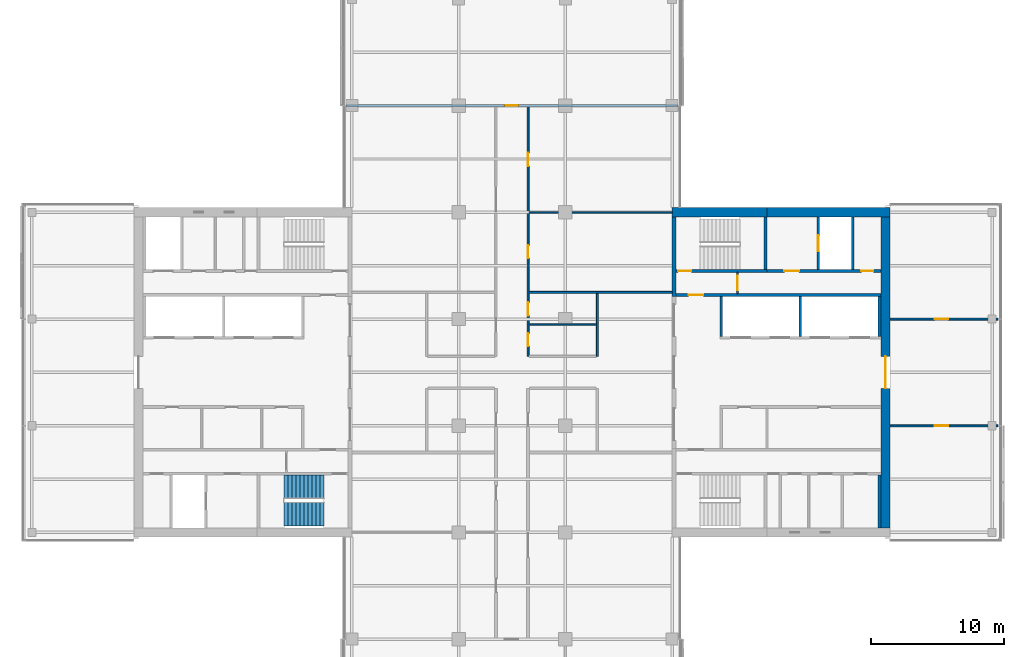
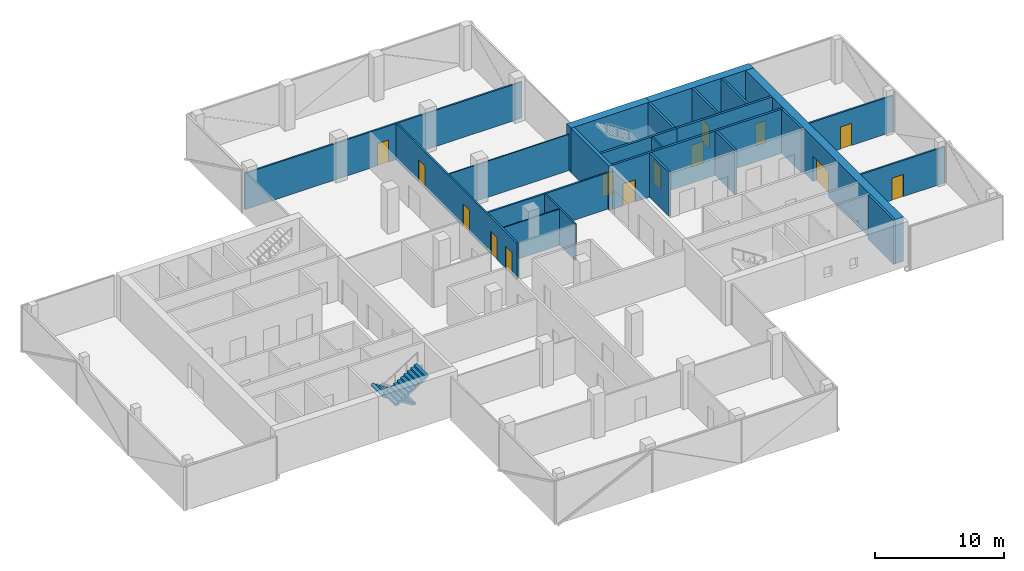
# One storey, part 16 of 22: 23 walls, 14 doors, 2 stair flights, 14 openings, 1 element without a shape of its own.
"""IFC4 building model written with IfcOpenShell, lengths in metres."""

from ifc_helpers import new_model, si_unit, direction, frame, frame_2d, origin, place, context, subcontext, project, spatial, polyline, rectangle, outline, extrude, material, layer, layer_set, constituent, constituent_set, type_object, element, fill, aggregate, save


model = new_model("IFC4")

# Units and contexts
model_context = context("Model", 3, precision=1e-05, world=origin(), true_north=direction((0.0, 1.0)))
body_context = subcontext(model_context, "Body", "Model", "MODEL_VIEW")
ifc_project = project(units=[si_unit("LENGTHUNIT", "METRE"), si_unit("AREAUNIT", "SQUARE_METRE"), si_unit("VOLUMEUNIT", "CUBIC_METRE"), si_unit("PLANEANGLEUNIT", "RADIAN"), si_unit("MASSUNIT", "GRAM", prefix="KILO")], contexts=[model_context])

# Site, building, storey
site_placement = place(None, origin())
site = spatial("IfcSite", under=ifc_project, at=site_placement, CompositionType="ELEMENT")
building_placement = place(site_placement, origin())
building = spatial("IfcBuilding", under=site, at=building_placement, Name="Crosswind Convention Tower", CompositionType="ELEMENT")
storey_placement = place(building_placement, frame((0.0, 0.0, 150.5)))
storey = spatial("IfcBuildingStorey", under=building, at=storey_placement, Name="L31", CompositionType="ELEMENT", Elevation=150.5)

# Wall, opening, door
ifc_material_1 = material(Name="Concrete C60/75", Category="concrete")
ifc_layer_1 = layer(ifc_material_1, 0.699951171875)
ifc_layer_set_1 = layer_set([ifc_layer_1], Name="Concrete C60/75")
wall_type_1 = type_object("IfcWallType", Name="Concrete core wall 700", PredefinedType="SHEAR", material=ifc_layer_set_1)
wall_1_placement = place(storey_placement, frame((153.0, 88.35009765625, 0.0), z_axis=(0.0, 0.0, 1.0), x_axis=(0.0, 1.0, 0.0)))
wall_1 = element("IfcWall", 1, at=wall_1_placement, inside=storey, type_object=wall_type_1, Name="Wall O E L31", PredefinedType="SHEAR", context=body_context, shape_type="SweptSolid", body=[
    extrude(rectangle(XDim=23.2998046875, YDim=0.699951171875, at=frame_2d((11.64990234375, 0.0))), origin(), (0.0, 0.0, 1.0), 4.199951171875),
])
opening_1_placement = place(wall_1_placement, frame((10.449951171875, 0.0, 0.0)))
opening_1 = element("IfcOpeningElement", 2, at=opening_1_placement, cuts=wall_1, Name="Opening D100", PredefinedType="OPENING", context=body_context, shape_type="SweptSolid", body=[
    extrude(rectangle(XDim=2.39990234375, YDim=2.39990234375, at=frame_2d((1.199951171875, 1.199951171875))), frame((0.0, 0.35986328125, 0.0), z_axis=(0.0, -1.0, 0.0), x_axis=(1.0, 0.0, 0.0)), (0.0, 0.0, 1.0), 0.719970703125),
])
ifc_material_2 = material(Name="Steel fire door with glazed vision panels", Category="steel")
door_type_1 = type_object("IfcDoorType", Name="Fire-rated double door 2400x2400", OperationType="DOUBLE_DOOR_SINGLE_SWING", PredefinedType="DOOR", material=ifc_material_2)
door_1_placement = place(opening_1_placement, origin())
door_1 = element("IfcDoor", 3, at=door_1_placement, inside=storey, type_object=door_type_1, Name="Lobby outer door L31", ObjectType="D100", OperationType="DOUBLE_DOOR_SINGLE_SWING", OverallHeight=2.39990234375, OverallWidth=2.39990234375, PredefinedType="DOOR", context=body_context, shape_type="SweptSolid", body=[
    extrude(rectangle(XDim=2.39990234375, YDim=2.39990234375, at=frame_2d((1.199951171875, 1.199951171875))), frame((0.0, 0.02490234375, 0.0), z_axis=(0.0, -1.0, 0.0), x_axis=(1.0, 0.0, 0.0)), (0.0, 0.0, 1.0), 0.050048828125),
])
fill(opening_1, door_1)

# Walls
ifc_material_3 = material(Name="Concrete C50/60", Category="concrete")
ifc_layer_2 = layer(ifc_material_3, 0.300048828125)
ifc_layer_set_2 = layer_set([ifc_layer_2], Name="Concrete C50/60")
wall_type_2 = type_object("IfcWallType", Name="Concrete inner core wall 300", PredefinedType="SHEAR", material=ifc_layer_set_2)
wall_2_placement = place(storey_placement, frame((137.14990234375, 105.699951171875, 0.0), z_axis=(0.0, 0.0, 1.0), x_axis=(0.0, 1.0, 0.0)))
element("IfcWall", 4, at=wall_2_placement, inside=storey, type_object=wall_type_2, Name="Wall EP E L31", PredefinedType="SHEAR", context=body_context, shape_type="SweptSolid", body=[
    extrude(rectangle(XDim=5.949951171875, YDim=0.300048828125, at=frame_2d((2.97509765625, 0.0))), origin(), (0.0, 0.0, 1.0), 4.199951171875),
])
ifc_layer_3 = layer(ifc_material_3, 0.199951171875)
ifc_layer_set_3 = layer_set([ifc_layer_3], Name="Concrete C50/60")
wall_type_3 = type_object("IfcWallType", Name="Concrete shaft and stair wall 200", PredefinedType="SHEAR", material=ifc_layer_set_3)
for number, where, z_axis, x_axis, name in (
    (5, (140.699951171875, 102.699951171875, 0.0), (0.0, 0.0, 1.0), (0.0, 1.0, 0.0), "Wall RPEND E L31"),
    (6, (146.60009765625, 102.699951171875, 0.0), (0.0, 0.0, 1.0), (0.0, 1.0, 0.0), "Wall RPSEP E L31"),
    (7, (152.550048828125, 102.699951171875, 0.0), (0.0, 0.0, 1.0), (0.0, 1.0, 0.0), "Wall RPEAST E L31"),
):
    element("IfcWall", number, at=place(storey_placement, frame(where, z_axis=z_axis, x_axis=x_axis)), inside=storey, type_object=wall_type_3, Name=name, PredefinedType="SHEAR", context=body_context, shape_type="SweptSolid", body=[
        extrude(rectangle(XDim=3.0, YDim=0.199951171875, at=frame_2d((1.5, 0.0))), origin(), (0.0, 0.0, 1.0), 4.199951171875),
    ])

# Wall, opening, door
wall_3_placement = place(storey_placement, frame((137.300048828125, 105.800048828125, 0.0), z_axis=(0.0, 0.0, 1.0), x_axis=(1.0, 0.0, 0.0)))
wall_3 = element("IfcWall", 8, at=wall_3_placement, inside=storey, type_object=wall_type_3, Name="Wall HP E L31", PredefinedType="SHEAR", context=body_context, shape_type="SweptSolid", body=[
    extrude(rectangle(XDim=15.349853515625, YDim=0.199951171875, at=frame_2d((7.6748046875, 0.0))), origin(), (0.0, 0.0, 1.0), 4.199951171875),
])
opening_2_placement = place(wall_3_placement, frame((0.949951171875, 0.0, 0.0)))
opening_2 = element("IfcOpeningElement", 9, at=opening_2_placement, cuts=wall_3, Name="Opening D104", PredefinedType="OPENING", context=body_context, shape_type="SweptSolid", body=[
    extrude(rectangle(XDim=1.10009765625, YDim=2.10009765625, at=frame_2d((0.550048828125, 1.050048828125))), frame((0.0, 0.10986328125, 0.0), z_axis=(0.0, -1.0, 0.0), x_axis=(1.0, 0.0, 0.0)), (0.0, 0.0, 1.0), 0.219970703125),
])
ifc_material_4 = material(Name="Steel fire door", Category="steel")
door_type_2 = type_object("IfcDoorType", Name="Fire-rated single door 1100x2100", OperationType="NOTDEFINED", PredefinedType="DOOR", material=ifc_material_4)
door_2_placement = place(opening_2_placement, origin())
door_2 = element("IfcDoor", 10, at=door_2_placement, inside=storey, type_object=door_type_2, Name="Corridor door L31", ObjectType="D104", OperationType="SINGLE_SWING_LEFT", OverallHeight=2.10009765625, OverallWidth=1.10009765625, PredefinedType="DOOR", context=body_context, shape_type="SweptSolid", body=[
    extrude(rectangle(XDim=1.10009765625, YDim=2.10009765625, at=frame_2d((0.550048828125, 1.050048828125))), frame((0.0, 0.02490234375, 0.0), z_axis=(0.0, -1.0, 0.0), x_axis=(1.0, 0.0, 0.0)), (0.0, 0.0, 1.0), 0.050048828125),
])
fill(opening_2, door_2)

# Wall
wall_4_placement = place(storey_placement, frame((144.0, 107.699951171875, 0.0), z_axis=(0.0, 0.0, 1.0), x_axis=(0.0, 1.0, 0.0)))
element("IfcWall", 11, at=wall_4_placement, inside=storey, type_object=wall_type_3, Name="Wall PSE E L31", PredefinedType="SHEAR", context=body_context, shape_type="SweptSolid", body=[
    extrude(rectangle(XDim=3.949951171875, YDim=0.199951171875, at=frame_2d((1.97509765625, 0.0))), origin(), (0.0, 0.0, 1.0), 4.199951171875),
])

# Wall, opening, door
wall_5_placement = place(storey_placement, frame((147.949951171875, 107.699951171875, 0.0), z_axis=(0.0, 0.0, 1.0), x_axis=(0.0, 1.0, 0.0)))
wall_5 = element("IfcWall", 12, at=wall_5_placement, inside=storey, type_object=wall_type_3, Name="Wall PFLW E L31", PredefinedType="SHEAR", context=body_context, shape_type="SweptSolid", body=[
    extrude(rectangle(XDim=3.949951171875, YDim=0.199951171875, at=frame_2d((1.97509765625, 0.0))), origin(), (0.0, 0.0, 1.0), 4.199951171875),
])
opening_3_placement = place(wall_5_placement, frame((1.375, 0.0, 0.0)))
opening_3 = element("IfcOpeningElement", 13, at=opening_3_placement, cuts=wall_5, Name="Opening LD1", PredefinedType="OPENING", context=body_context, shape_type="SweptSolid", body=[
    extrude(rectangle(XDim=1.199951171875, YDim=2.10009765625, at=frame_2d((0.60009765625, 1.050048828125))), frame((0.0, 0.10986328125, 0.0), z_axis=(0.0, -1.0, 0.0), x_axis=(1.0, 0.0, 0.0)), (0.0, 0.0, 1.0), 0.219970703125),
])
ifc_material_5 = material(Name="Stainless steel", Category="steel")
door_type_3 = type_object("IfcDoorType", Name="Lift landing door 1200x2100", OperationType="DOUBLE_DOOR_SLIDING", PredefinedType="DOOR", material=ifc_material_5)
door_3_placement = place(opening_3_placement, origin())
door_3 = element("IfcDoor", 14, at=door_3_placement, inside=storey, type_object=door_type_3, Name="Landing door FF1 L31", ObjectType="LD1", OperationType="DOUBLE_DOOR_SLIDING", OverallHeight=2.10009765625, OverallWidth=1.199951171875, PredefinedType="DOOR", context=body_context, shape_type="SweptSolid", body=[
    extrude(rectangle(XDim=1.199951171875, YDim=2.10009765625, at=frame_2d((0.60009765625, 1.050048828125))), frame((0.0, 0.02490234375, 0.0), z_axis=(0.0, -1.0, 0.0), x_axis=(1.0, 0.0, 0.0)), (0.0, 0.0, 1.0), 0.050048828125),
])
fill(opening_3, door_3)

# Wall
wall_6_placement = place(storey_placement, frame((150.550048828125, 107.699951171875, 0.0), z_axis=(0.0, 0.0, 1.0), x_axis=(0.0, 1.0, 0.0)))
element("IfcWall", 15, at=wall_6_placement, inside=storey, type_object=wall_type_3, Name="Wall PFSE E L31", PredefinedType="SHEAR", context=body_context, shape_type="SweptSolid", body=[
    extrude(rectangle(XDim=3.949951171875, YDim=0.199951171875, at=frame_2d((1.97509765625, 0.0))), origin(), (0.0, 0.0, 1.0), 4.199951171875),
])

# Wall, opening, door
wall_7_placement = place(storey_placement, frame((137.300048828125, 107.60009765625, 0.0), z_axis=(0.0, 0.0, 1.0), x_axis=(1.0, 0.0, 0.0)))
wall_7 = element("IfcWall", 16, at=wall_7_placement, inside=storey, type_object=wall_type_3, Name="Wall PCW E L31", PredefinedType="SHEAR", context=body_context, shape_type="SweptSolid", body=[
    extrude(rectangle(XDim=6.800048828125, YDim=0.199951171875, at=frame_2d((3.39990234375, 0.0))), origin(), (0.0, 0.0, 1.0), 4.199951171875),
])
opening_4_placement = place(wall_7_placement, frame((0.14990234375, 0.0, 0.0)))
opening_4 = element("IfcOpeningElement", 17, at=opening_4_placement, cuts=wall_7, Name="Opening D103", PredefinedType="OPENING", context=body_context, shape_type="SweptSolid", body=[
    extrude(rectangle(XDim=1.0, YDim=2.10009765625, at=frame_2d((0.5, 1.050048828125))), frame((0.0, 0.10986328125, 0.0), z_axis=(0.0, -1.0, 0.0), x_axis=(1.0, 0.0, 0.0)), (0.0, 0.0, 1.0), 0.219970703125),
])
door_type_4 = type_object("IfcDoorType", Name="Fire-rated single door 1000x2100", OperationType="NOTDEFINED", PredefinedType="DOOR", material=ifc_material_4)
door_4_placement = place(opening_4_placement, origin())
door_4 = element("IfcDoor", 18, at=door_4_placement, inside=storey, type_object=door_type_4, Name="Stair ST1 door L31", ObjectType="D103", OperationType="SINGLE_SWING_LEFT", OverallHeight=2.10009765625, OverallWidth=1.0, PredefinedType="DOOR", context=body_context, shape_type="SweptSolid", body=[
    extrude(rectangle(XDim=1.0, YDim=2.10009765625, at=frame_2d((0.5, 1.050048828125))), frame((0.0, 0.02490234375, 0.0), z_axis=(0.0, -1.0, 0.0), x_axis=(1.0, 0.0, 0.0)), (0.0, 0.0, 1.0), 0.050048828125),
])
fill(opening_4, door_4)

# Wall, openings, doors
wall_8_placement = place(storey_placement, frame((144.10009765625, 107.60009765625, 0.0), z_axis=(0.0, 0.0, 1.0), x_axis=(1.0, 0.0, 0.0)))
wall_8 = element("IfcWall", 19, at=wall_8_placement, inside=storey, type_object=wall_type_3, Name="Wall PCX E L31", PredefinedType="SHEAR", context=body_context, shape_type="SweptSolid", body=[
    extrude(rectangle(XDim=8.5498046875, YDim=0.199951171875, at=frame_2d((4.27490234375, 0.0))), origin(), (0.0, 0.0, 1.0), 4.199951171875),
])
opening_5_placement = place(wall_8_placement, frame((1.324951171875, 0.0, 0.0)))
opening_5 = element("IfcOpeningElement", 20, at=opening_5_placement, cuts=wall_8, Name="Opening D104", PredefinedType="OPENING", context=body_context, shape_type="SweptSolid", body=[
    extrude(rectangle(XDim=1.10009765625, YDim=2.10009765625, at=frame_2d((0.550048828125, 1.050048828125))), frame((0.0, 0.10986328125, 0.0), z_axis=(0.0, -1.0, 0.0), x_axis=(1.0, 0.0, 0.0)), (0.0, 0.0, 1.0), 0.219970703125),
])
opening_6_placement = place(wall_8_placement, frame((7.10009765625, 0.0, 0.0)))
opening_6 = element("IfcOpeningElement", 21, at=opening_6_placement, cuts=wall_8, Name="Opening D106", PredefinedType="OPENING", context=body_context, shape_type="SweptSolid", body=[
    extrude(rectangle(XDim=0.89990234375, YDim=2.10009765625, at=frame_2d((0.449951171875, 1.050048828125))), frame((0.0, 0.10986328125, 0.0), z_axis=(0.0, -1.0, 0.0), x_axis=(1.0, 0.0, 0.0)), (0.0, 0.0, 1.0), 0.219970703125),
])
door_5_placement = place(opening_5_placement, origin())
door_5 = element("IfcDoor", 22, at=door_5_placement, inside=storey, type_object=door_type_2, Name="Fire-fighting lobby FF1 door L31", ObjectType="D104", OperationType="SINGLE_SWING_RIGHT", OverallHeight=2.10009765625, OverallWidth=1.10009765625, PredefinedType="DOOR", context=body_context, shape_type="SweptSolid", body=[
    extrude(rectangle(XDim=1.10009765625, YDim=2.10009765625, at=frame_2d((0.550048828125, 1.050048828125))), frame((0.0, 0.02490234375, 0.0), z_axis=(0.0, -1.0, 0.0), x_axis=(1.0, 0.0, 0.0)), (0.0, 0.0, 1.0), 0.050048828125),
])
fill(opening_5, door_5)
ifc_material_6 = material(Name="Timber door", Category="wood")
door_type_5 = type_object("IfcDoorType", Name="Single leaf door 900x2100", OperationType="NOTDEFINED", PredefinedType="DOOR", material=ifc_material_6)
door_6_placement = place(opening_6_placement, origin())
door_6 = element("IfcDoor", 23, at=door_6_placement, inside=storey, type_object=door_type_5, Name="Door to cleaners' store L31", ObjectType="D106", OperationType="SINGLE_SWING_RIGHT", OverallHeight=2.10009765625, OverallWidth=0.89990234375, PredefinedType="DOOR", context=body_context, shape_type="SweptSolid", body=[
    extrude(rectangle(XDim=0.89990234375, YDim=2.10009765625, at=frame_2d((0.449951171875, 1.050048828125))), frame((0.0, 0.02490234375, 0.0), z_axis=(0.0, -1.0, 0.0), x_axis=(1.0, 0.0, 0.0)), (0.0, 0.0, 1.0), 0.050048828125),
])
fill(opening_6, door_6)

# Wall
wall_9_placement = place(storey_placement, frame((152.550048828125, 88.35009765625, 0.0), z_axis=(0.0, 0.0, 1.0), x_axis=(0.0, 1.0, 0.0)))
element("IfcWall", 24, at=wall_9_placement, inside=storey, type_object=wall_type_3, Name="Wall MFSE E L31", PredefinedType="SHEAR", context=body_context, shape_type="SweptSolid", body=[
    extrude(rectangle(XDim=3.949951171875, YDim=0.199951171875, at=frame_2d((1.97509765625, 0.0))), origin(), (0.0, 0.0, 1.0), 4.199951171875),
])

# Wall, opening, door
ifc_material_7 = material(Name="Gypsum plasterboard partition", Category="gypsum")
ifc_layer_4 = layer(ifc_material_7, 0.125)
ifc_layer_set_4 = layer_set([ifc_layer_4], Name="Drywall partition wall 125")
wall_type_4 = type_object("IfcWallType", Name="Drywall partition wall 125", PredefinedType="PARTITIONING", material=ifc_layer_set_4)
wall_10_placement = place(storey_placement, frame((141.89990234375, 105.89990234375, 0.0), z_axis=(0.0, 0.0, 1.0), x_axis=(0.0, 1.0, 0.0)))
wall_10 = element("IfcWall", 25, at=wall_10_placement, inside=storey, type_object=wall_type_4, Name="Wall PXC1 E L31", PredefinedType="PARTITIONING", context=body_context, shape_type="SweptSolid", body=[
    extrude(rectangle(XDim=1.60009765625, YDim=0.125, at=frame_2d((0.800048828125, 0.0))), origin(), (0.0, 0.0, 1.0), 4.199951171875),
])
opening_7_placement = place(wall_10_placement, frame((0.25, 0.0, 0.0)))
opening_7 = element("IfcOpeningElement", 26, at=opening_7_placement, cuts=wall_10, Name="Opening D104", PredefinedType="OPENING", context=body_context, shape_type="SweptSolid", body=[
    extrude(rectangle(XDim=1.10009765625, YDim=2.10009765625, at=frame_2d((0.550048828125, 1.050048828125))), frame((0.0, 0.072509765625, 0.0), z_axis=(0.0, -1.0, 0.0), x_axis=(1.0, 0.0, 0.0)), (0.0, 0.0, 1.0), 0.14501953125),
])
door_7_placement = place(opening_7_placement, origin())
door_7 = element("IfcDoor", 27, at=door_7_placement, inside=storey, type_object=door_type_2, Name="Corridor smoke door L31", ObjectType="D104", OperationType="SINGLE_SWING_RIGHT", OverallHeight=2.10009765625, OverallWidth=1.10009765625, PredefinedType="DOOR", context=body_context, shape_type="SweptSolid", body=[
    extrude(rectangle(XDim=1.10009765625, YDim=2.10009765625, at=frame_2d((0.550048828125, 1.050048828125))), frame((0.0, 0.02490234375, 0.0), z_axis=(0.0, -1.0, 0.0), x_axis=(1.0, 0.0, 0.0)), (0.0, 0.0, 1.0), 0.050048828125),
])
fill(opening_7, door_7)

# Walls
ifc_material_8 = material(Name="Plasterboard partition", Category="gypsum")
ifc_layer_5 = layer(ifc_material_8, 0.10009765625)
ifc_layer_set_5 = layer_set([ifc_layer_5], Name="PARTITION 100 METAL STUD")
wall_type_5 = type_object("IfcWallType", Name="PARTITION 100 METAL STUD", PredefinedType="PARTITIONING", material=ifc_layer_set_5)
wall_11_placement = place(storey_placement, frame((126.27490234375, 103.60009765625, 0.0), z_axis=(0.0, 0.0, 1.0), x_axis=(1.0, 0.0, 0.0)))
element("IfcWall", 28, at=wall_11_placement, inside=storey, type_object=wall_type_5, Name="Partition wall WT40", PredefinedType="PARTITIONING", context=body_context, shape_type="SweptSolid", body=[
    extrude(rectangle(XDim=5.050048828125, YDim=0.10009765625, at=frame_2d((2.52490234375, 0.0))), origin(), (0.0, 0.0, 1.0), 3.436279296875),
])
wall_12_placement = place(storey_placement, frame((126.27490234375, 112.0, 0.0), z_axis=(0.0, 0.0, 1.0), x_axis=(1.0, 0.0, 0.0)))
element("IfcWall", 29, at=wall_12_placement, inside=storey, type_object=wall_type_5, Name="Partition wall WT40", PredefinedType="PARTITIONING", context=body_context, shape_type="SweptSolid", body=[
    extrude(rectangle(XDim=10.72509765625, YDim=0.10009765625, at=frame_2d((5.362548828125, 0.0))), origin(), (0.0, 0.0, 1.0), 3.436279296875),
])

# Wall, openings, doors
ifc_material_9 = material(Name="Fire-board partition with mineral wool", Category="gypsum")
ifc_layer_6 = layer(ifc_material_9, 0.14990234375)
ifc_layer_set_6 = layer_set([ifc_layer_6], Name="TENANCY WALL 150 TWO-HOUR BOARD")
wall_type_6 = type_object("IfcWallType", Name="TENANCY WALL 150 TWO-HOUR BOARD", PredefinedType="PARTITIONING", material=ifc_layer_set_6)
wall_13_placement = place(storey_placement, frame((126.199951171875, 101.199951171875, 0.0), z_axis=(0.0, 0.0, 1.0), x_axis=(0.0, 1.0, 0.0)))
wall_13 = element("IfcWall", 30, at=wall_13_placement, inside=storey, type_object=wall_type_6, Name="Tenancy wall WT41", PredefinedType="PARTITIONING", context=body_context, shape_type="SweptSolid", body=[
    extrude(rectangle(XDim=18.72509765625, YDim=0.14990234375, at=frame_2d((9.362548828125, 0.0))), origin(), (0.0, 0.0, 1.0), 3.436279296875),
])
opening_8_placement = place(wall_13_placement, frame((0.75, 0.0, 0.0)))
opening_8 = element("IfcOpeningElement", 31, at=opening_8_placement, cuts=wall_13, Name="Opening L31-50", PredefinedType="OPENING", context=body_context, shape_type="SweptSolid", body=[
    extrude(rectangle(XDim=1.0, YDim=2.10009765625, at=frame_2d((0.5, 1.050048828125))), frame((0.0, 0.0849609375, 0.0), z_axis=(0.0, -1.0, 0.0), x_axis=(1.0, 0.0, 0.0)), (0.0, 0.0, 1.0), 0.169921875),
])
opening_9_placement = place(wall_13_placement, frame((3.050048828125, 0.0, 0.0)))
opening_9 = element("IfcOpeningElement", 32, at=opening_9_placement, cuts=wall_13, Name="Opening L31-51", PredefinedType="OPENING", context=body_context, shape_type="SweptSolid", body=[
    extrude(rectangle(XDim=1.0, YDim=2.10009765625, at=frame_2d((0.5, 1.050048828125))), frame((0.0, 0.0849609375, 0.0), z_axis=(0.0, -1.0, 0.0), x_axis=(1.0, 0.0, 0.0)), (0.0, 0.0, 1.0), 0.169921875),
])
opening_10_placement = place(wall_13_placement, frame((7.35009765625, 0.0, 0.0)))
opening_10 = element("IfcOpeningElement", 33, at=opening_10_placement, cuts=wall_13, Name="Opening L31-52", PredefinedType="OPENING", context=body_context, shape_type="SweptSolid", body=[
    extrude(rectangle(XDim=1.0, YDim=2.10009765625, at=frame_2d((0.5, 1.050048828125))), frame((0.0, 0.0849609375, 0.0), z_axis=(0.0, -1.0, 0.0), x_axis=(1.0, 0.0, 0.0)), (0.0, 0.0, 1.0), 0.169921875),
])
opening_11_placement = place(wall_13_placement, frame((14.25, 0.0, 0.0)))
opening_11 = element("IfcOpeningElement", 34, at=opening_11_placement, cuts=wall_13, Name="Opening L31-53", PredefinedType="OPENING", context=body_context, shape_type="SweptSolid", body=[
    extrude(rectangle(XDim=1.0, YDim=2.10009765625, at=frame_2d((0.5, 1.050048828125))), frame((0.0, 0.0849609375, 0.0), z_axis=(0.0, -1.0, 0.0), x_axis=(1.0, 0.0, 0.0)), (0.0, 0.0, 1.0), 0.169921875),
])
ifc_material_10 = material(Name="Timber fire door", Category="wood")
door_type_6 = type_object("IfcDoorType", Name="TENANCY ENTRANCE DOOR 1000X2100 FD30S", OperationType="NOTDEFINED", PredefinedType="DOOR", material=ifc_material_10)
door_8_placement = place(opening_8_placement, frame((1.0, 0.0, 0.0), z_axis=(0.0, 0.0, 1.0), x_axis=(-1.0, 0.0, 0.0)))
door_8 = element("IfcDoor", 35, at=door_8_placement, inside=storey, type_object=door_type_6, Name="Door L31-50", ObjectType="D41", OperationType="SINGLE_SWING_LEFT", OverallHeight=2.10009765625, OverallWidth=1.0, PredefinedType="DOOR", context=body_context, shape_type="SweptSolid", body=[
    extrude(rectangle(XDim=1.0, YDim=2.10009765625, at=frame_2d((0.5, 1.050048828125))), frame((0.0, 0.02490234375, 0.0), z_axis=(0.0, -1.0, 0.0), x_axis=(1.0, 0.0, 0.0)), (0.0, 0.0, 1.0), 0.050048828125),
])
fill(opening_8, door_8)
door_9_placement = place(opening_9_placement, frame((1.0, 0.0, 0.0), z_axis=(0.0, 0.0, 1.0), x_axis=(-1.0, 0.0, 0.0)))
door_9 = element("IfcDoor", 36, at=door_9_placement, inside=storey, type_object=door_type_6, Name="Door L31-51", ObjectType="D41", OperationType="SINGLE_SWING_RIGHT", OverallHeight=2.10009765625, OverallWidth=1.0, PredefinedType="DOOR", context=body_context, shape_type="SweptSolid", body=[
    extrude(rectangle(XDim=1.0, YDim=2.10009765625, at=frame_2d((0.5, 1.050048828125))), frame((0.0, 0.02490234375, 0.0), z_axis=(0.0, -1.0, 0.0), x_axis=(1.0, 0.0, 0.0)), (0.0, 0.0, 1.0), 0.050048828125),
])
fill(opening_9, door_9)
door_10_placement = place(opening_10_placement, frame((1.0, 0.0, 0.0), z_axis=(0.0, 0.0, 1.0), x_axis=(-1.0, 0.0, 0.0)))
door_10 = element("IfcDoor", 37, at=door_10_placement, inside=storey, type_object=door_type_6, Name="Door L31-52", ObjectType="D41", OperationType="SINGLE_SWING_LEFT", OverallHeight=2.10009765625, OverallWidth=1.0, PredefinedType="DOOR", context=body_context, shape_type="SweptSolid", body=[
    extrude(rectangle(XDim=1.0, YDim=2.10009765625, at=frame_2d((0.5, 1.050048828125))), frame((0.0, 0.02490234375, 0.0), z_axis=(0.0, -1.0, 0.0), x_axis=(1.0, 0.0, 0.0)), (0.0, 0.0, 1.0), 0.050048828125),
])
fill(opening_10, door_10)
door_11_placement = place(opening_11_placement, frame((1.0, 0.0, 0.0), z_axis=(0.0, 0.0, 1.0), x_axis=(-1.0, 0.0, 0.0)))
door_11 = element("IfcDoor", 38, at=door_11_placement, inside=storey, type_object=door_type_6, Name="Door L31-53", ObjectType="D41", OperationType="SINGLE_SWING_RIGHT", OverallHeight=2.10009765625, OverallWidth=1.0, PredefinedType="DOOR", context=body_context, shape_type="SweptSolid", body=[
    extrude(rectangle(XDim=1.0, YDim=2.10009765625, at=frame_2d((0.5, 1.050048828125))), frame((0.0, 0.02490234375, 0.0), z_axis=(0.0, -1.0, 0.0), x_axis=(1.0, 0.0, 0.0)), (0.0, 0.0, 1.0), 0.050048828125),
])
fill(opening_11, door_11)

# Wall
wall_14_placement = place(storey_placement, frame((131.39990234375, 101.199951171875, 0.0), z_axis=(0.0, 0.0, 1.0), x_axis=(0.0, 1.0, 0.0)))
element("IfcWall", 39, at=wall_14_placement, inside=storey, type_object=wall_type_6, Name="Tenancy wall WT41", PredefinedType="PARTITIONING", context=body_context, shape_type="SweptSolid", body=[
    extrude(rectangle(XDim=4.72509765625, YDim=0.14990234375, at=frame_2d((2.362548828125, 0.0))), origin(), (0.0, 0.0, 1.0), 3.436279296875),
])

# Wall, opening, door
wall_15_placement = place(storey_placement, frame((153.35009765625, 96.0, 0.0), z_axis=(0.0, 0.0, 1.0), x_axis=(1.0, 0.0, 0.0)))
wall_15 = element("IfcWall", 40, at=wall_15_placement, inside=storey, type_object=wall_type_6, Name="Tenancy wall WT41", PredefinedType="PARTITIONING", context=body_context, shape_type="SweptSolid", body=[
    extrude(rectangle(XDim=8.06982421875, YDim=0.14990234375, at=frame_2d((4.034912109375, 0.0))), origin(), (0.0, 0.0, 1.0), 3.436279296875),
])
opening_12_placement = place(wall_15_placement, frame((3.35009765625, 0.0, 0.0)))
opening_12 = element("IfcOpeningElement", 41, at=opening_12_placement, cuts=wall_15, Name="Opening L31-65", PredefinedType="OPENING", context=body_context, shape_type="SweptSolid", body=[
    extrude(rectangle(XDim=1.0, YDim=2.10009765625, at=frame_2d((0.5, 1.050048828125))), frame((0.0, 0.0849609375, 0.0), z_axis=(0.0, -1.0, 0.0), x_axis=(1.0, 0.0, 0.0)), (0.0, 0.0, 1.0), 0.169921875),
])
door_12_placement = place(opening_12_placement, frame((1.0, 0.0, 0.0), z_axis=(0.0, 0.0, 1.0), x_axis=(-1.0, 0.0, 0.0)))
door_12 = element("IfcDoor", 42, at=door_12_placement, inside=storey, type_object=door_type_6, Name="Door L31-65", ObjectType="D41", OperationType="SINGLE_SWING_LEFT", OverallHeight=2.10009765625, OverallWidth=1.0, PredefinedType="DOOR", context=body_context, shape_type="SweptSolid", body=[
    extrude(rectangle(XDim=1.0, YDim=2.10009765625, at=frame_2d((0.5, 1.050048828125))), frame((0.0, 0.02490234375, 0.0), z_axis=(0.0, -1.0, 0.0), x_axis=(1.0, 0.0, 0.0)), (0.0, 0.0, 1.0), 0.050048828125),
])
fill(opening_12, door_12)

wall_16_placement = place(storey_placement, frame((153.35009765625, 104.0, 0.0), z_axis=(0.0, 0.0, 1.0), x_axis=(1.0, 0.0, 0.0)))
wall_16 = element("IfcWall", 43, at=wall_16_placement, inside=storey, type_object=wall_type_6, Name="Tenancy wall WT41", PredefinedType="PARTITIONING", context=body_context, shape_type="SweptSolid", body=[
    extrude(rectangle(XDim=8.06982421875, YDim=0.14990234375, at=frame_2d((4.034912109375, 0.0))), origin(), (0.0, 0.0, 1.0), 3.436279296875),
])
opening_13_placement = place(wall_16_placement, frame((3.35009765625, 0.0, 0.0)))
opening_13 = element("IfcOpeningElement", 44, at=opening_13_placement, cuts=wall_16, Name="Opening L31-64", PredefinedType="OPENING", context=body_context, shape_type="SweptSolid", body=[
    extrude(rectangle(XDim=1.0, YDim=2.10009765625, at=frame_2d((0.5, 1.050048828125))), frame((0.0, 0.0849609375, 0.0), z_axis=(0.0, -1.0, 0.0), x_axis=(1.0, 0.0, 0.0)), (0.0, 0.0, 1.0), 0.169921875),
])
door_13_placement = place(opening_13_placement, origin())
door_13 = element("IfcDoor", 45, at=door_13_placement, inside=storey, type_object=door_type_6, Name="Door L31-64", ObjectType="D41", OperationType="SINGLE_SWING_RIGHT", OverallHeight=2.10009765625, OverallWidth=1.0, PredefinedType="DOOR", context=body_context, shape_type="SweptSolid", body=[
    extrude(rectangle(XDim=1.0, YDim=2.10009765625, at=frame_2d((0.5, 1.050048828125))), frame((0.0, 0.02490234375, 0.0), z_axis=(0.0, -1.0, 0.0), x_axis=(1.0, 0.0, 0.0)), (0.0, 0.0, 1.0), 0.050048828125),
])
fill(opening_13, door_13)

# Wall
wall_17_placement = place(storey_placement, frame((126.27490234375, 106.0, 0.0), z_axis=(0.0, 0.0, 1.0), x_axis=(1.0, 0.0, 0.0)))
element("IfcWall", 46, at=wall_17_placement, inside=storey, type_object=wall_type_6, Name="Tenancy wall WT41", PredefinedType="PARTITIONING", context=body_context, shape_type="SweptSolid", body=[
    extrude(rectangle(XDim=10.72509765625, YDim=0.14990234375, at=frame_2d((5.362548828125, 0.0))), origin(), (0.0, 0.0, 1.0), 3.436279296875),
])

# Wall, opening, door
wall_18_placement = place(storey_placement, frame((112.580078125, 120.0, 0.0), z_axis=(0.0, 0.0, 1.0), x_axis=(1.0, 0.0, 0.0)))
wall_18 = element("IfcWall", 47, at=wall_18_placement, inside=storey, type_object=wall_type_6, Name="Tenancy wall WT41", PredefinedType="PARTITIONING", context=body_context, shape_type="SweptSolid", body=[
    extrude(rectangle(XDim=24.83984375, YDim=0.14990234375, at=frame_2d((12.419921875, 0.0))), origin(), (0.0, 0.0, 1.0), 3.436279296875),
])
opening_14_placement = place(wall_18_placement, frame((11.8701171875, 0.0, 0.0)))
opening_14 = element("IfcOpeningElement", 48, at=opening_14_placement, cuts=wall_18, Name="Opening L31-61", PredefinedType="OPENING", context=body_context, shape_type="SweptSolid", body=[
    extrude(rectangle(XDim=1.0, YDim=2.10009765625, at=frame_2d((0.5, 1.050048828125))), frame((0.0, 0.0849609375, 0.0), z_axis=(0.0, -1.0, 0.0), x_axis=(1.0, 0.0, 0.0)), (0.0, 0.0, 1.0), 0.169921875),
])
door_14_placement = place(opening_14_placement, origin())
door_14 = element("IfcDoor", 49, at=door_14_placement, inside=storey, type_object=door_type_6, Name="Door L31-61", ObjectType="D41", OperationType="SINGLE_SWING_LEFT", OverallHeight=2.10009765625, OverallWidth=1.0, PredefinedType="DOOR", context=body_context, shape_type="SweptSolid", body=[
    extrude(rectangle(XDim=1.0, YDim=2.10009765625, at=frame_2d((0.5, 1.050048828125))), frame((0.0, 0.02490234375, 0.0), z_axis=(0.0, -1.0, 0.0), x_axis=(1.0, 0.0, 0.0)), (0.0, 0.0, 1.0), 0.050048828125),
])
fill(opening_14, door_14)

# Walls
ifc_constituent_1 = constituent(ifc_material_1, Name="Structure")
ifc_material_11 = material(Name="Terracotta rainscreen", Category="ceramic")
ifc_constituent_2 = constituent(ifc_material_11, Name="Facing")
ifc_constituent_set = constituent_set(constituents=[ifc_constituent_1, ifc_constituent_2], Name="Concrete C60/75, Terracotta rainscreen")
wall_type_7 = type_object("IfcWallType", Name="Terracotta rainscreen on concrete core wall 700", PredefinedType="SHEAR", material=ifc_constituent_set)
wall_19_placement = place(storey_placement, frame((137.0, 112.0, 0.0), z_axis=(0.0, 0.0, 1.0), x_axis=(1.0, 0.0, 0.0)))
element("IfcWall", 50, at=wall_19_placement, inside=storey, type_object=wall_type_7, Name="Wall N1 E L31", PredefinedType="SHEAR", context=body_context, shape_type="SweptSolid", body=[
    extrude(rectangle(XDim=7.10009765625, YDim=0.699951171875, at=frame_2d((3.550048828125, 0.0))), origin(), (0.0, 0.0, 1.0), 4.199951171875),
])
wall_20_placement = place(storey_placement, frame((144.10009765625, 112.0, 0.0), z_axis=(0.0, 0.0, 1.0), x_axis=(1.0, 0.0, 0.0)))
element("IfcWall", 51, at=wall_20_placement, inside=storey, type_object=wall_type_7, Name="Wall N2 E L31", PredefinedType="SHEAR", context=body_context, shape_type="SweptSolid", body=[
    extrude(rectangle(XDim=9.25, YDim=0.699951171875, at=frame_2d((4.625, 0.0))), origin(), (0.0, 0.0, 1.0), 4.199951171875),
])

# Stair, stair flights
ifc_material_12 = material(Name="Concrete C40/50", Category="concrete")
stair_type = type_object("IfcStairType", Name="Exit stair 1800 wide, 2 flights of 11 risers", PredefinedType="HALF_TURN_STAIR", material=ifc_material_12)
stair_placement = place(storey_placement, origin())
stair = element("IfcStair", 52, at=stair_placement, inside=storey, type_object=stair_type, Name="Exit stair ST3 L31", ObjectType="ST5", PredefinedType="HALF_TURN_STAIR")
stair_flight_type = type_object("IfcStairFlightType", Name="Stair flight 1800 wide, 11 risers (SF4)", PredefinedType="STRAIGHT", material=ifc_material_12)
stair_flight_1_placement = place(storey_placement, frame((110.89990234375, 91.39990234375, 0.0), z_axis=(0.0, 0.0, 1.0), x_axis=(-1.0, 0.0, 0.0)))
stair_flight_1 = element("IfcStairFlight", 53, at=stair_flight_1_placement, type_object=stair_flight_type, Name="ST3 flight 1", NumberOfRisers=11, NumberOfTreads=10, PredefinedType="STRAIGHT", RiserHeight=0.190909091, TreadLength=0.3, context=body_context, shape_type="SweptSolid", body=[
    extrude(outline(polyline([(0.0, 0.0), (0.0, 0.19091796875), (0.300048828125, 0.19091796875), (0.300048828125, 0.3818359375), (0.60009765625, 0.3818359375), (0.60009765625, 0.57275390625), (0.89990234375, 0.57275390625), (0.89990234375, 0.763671875), (1.199951171875, 0.763671875), (1.199951171875, 0.95458984375), (1.5, 0.95458984375), (1.5, 1.1455078125), (1.800048828125, 1.1455078125), (1.800048828125, 1.33642578125), (2.10009765625, 1.33642578125), (2.10009765625, 1.52734375), (2.39990234375, 1.52734375), (2.39990234375, 1.71826171875), (2.699951171875, 1.71826171875), (2.699951171875, 1.9091796875), (3.0, 1.9091796875), (3.0, 2.10009765625), (3.0, 1.7314453125), (0.279296875, 0.0), (0.0, 0.0)])), frame((0.0, 0.89990234375, 0.0), z_axis=(0.0, -1.0, 0.0), x_axis=(1.0, 0.0, 0.0)), (0.0, 0.0, 1.0), 1.800048828125),
])
stair_flight_2_placement = place(storey_placement, frame((107.89990234375, 89.39990234375, 2.10009765625), z_axis=(0.0, 0.0, 1.0), x_axis=(1.0, 0.0, 0.0)))
stair_flight_2 = element("IfcStairFlight", 54, at=stair_flight_2_placement, type_object=stair_flight_type, Name="ST3 flight 2", NumberOfRisers=11, NumberOfTreads=10, PredefinedType="STRAIGHT", RiserHeight=0.190909091, TreadLength=0.3, context=body_context, shape_type="SweptSolid", body=[
    extrude(outline(polyline([(0.0, 0.0), (0.0, 0.19091796875), (0.300048828125, 0.19091796875), (0.300048828125, 0.3818359375), (0.60009765625, 0.3818359375), (0.60009765625, 0.57275390625), (0.89990234375, 0.57275390625), (0.89990234375, 0.763671875), (1.199951171875, 0.763671875), (1.199951171875, 0.95458984375), (1.5, 0.95458984375), (1.5, 1.1455078125), (1.800048828125, 1.1455078125), (1.800048828125, 1.33642578125), (2.10009765625, 1.33642578125), (2.10009765625, 1.52734375), (2.39990234375, 1.52734375), (2.39990234375, 1.71826171875), (2.699951171875, 1.71826171875), (2.699951171875, 1.9091796875), (3.0, 1.9091796875), (3.0, 2.10009765625), (3.0, 1.7314453125), (0.279296875, 0.0), (0.0, 0.0)])), frame((0.0, 0.89990234375, 0.0), z_axis=(0.0, -1.0, 0.0), x_axis=(1.0, 0.0, 0.0)), (0.0, 0.0, 1.0), 1.800048828125),
])
aggregate(stair, [stair_flight_1, stair_flight_2])

save(model, "model.ifc")
